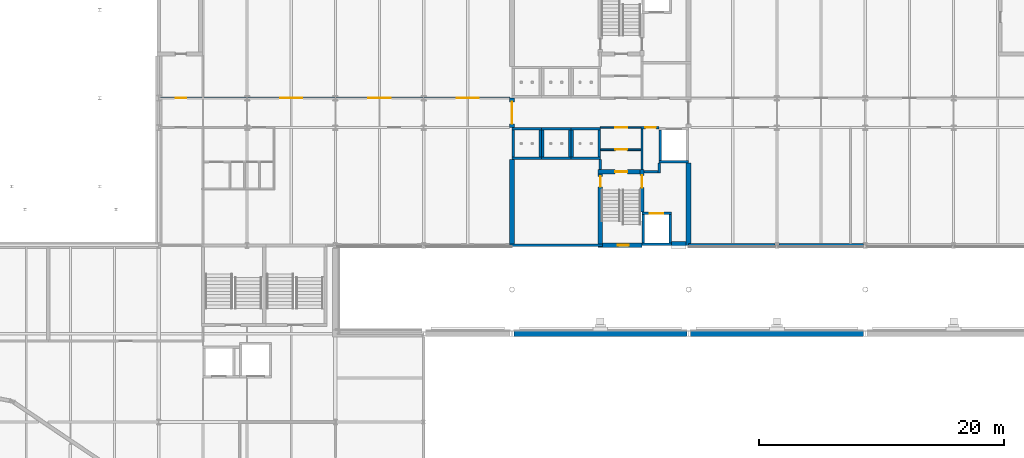
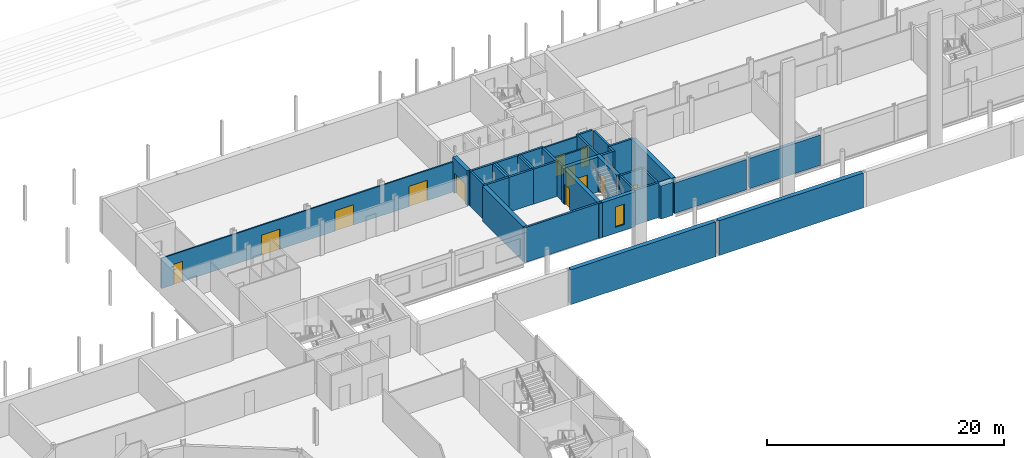
# One storey, part 54 of 90: 39 walls, 12 doors, 1 window, 13 openings.
"""IFC4 building model written with IfcOpenShell, lengths in metres."""

from ifc_helpers import new_model, si_unit, direction, frame, frame_2d, origin, place, context, subcontext, project, spatial, rectangle, extrude, material, layer, layer_set, type_object, element, fill, save


model = new_model("IFC4")

# Units and contexts
model_context = context("Model", 3, precision=1e-05, world=origin(), true_north=direction((0.0, 1.0)))
body_context = subcontext(model_context, "Body", "Model", "MODEL_VIEW")
ifc_project = project(units=[si_unit("LENGTHUNIT", "METRE"), si_unit("AREAUNIT", "SQUARE_METRE"), si_unit("VOLUMEUNIT", "CUBIC_METRE"), si_unit("PLANEANGLEUNIT", "RADIAN"), si_unit("MASSUNIT", "GRAM", prefix="KILO")], contexts=[model_context])

# Site, building, storey
site_placement = place(None, origin())
site = spatial("IfcSite", under=ifc_project, at=site_placement, CompositionType="ELEMENT")
building_placement = place(site_placement, origin())
building = spatial("IfcBuilding", under=site, at=building_placement, Name="Kupolbacken Congress Centre", CompositionType="ELEMENT")
storey_placement = place(building_placement, frame((0.0, 0.0, 3.60009765625)))
storey = spatial("IfcBuildingStorey", under=building, at=storey_placement, Name="L01", CompositionType="ELEMENT", Elevation=3.60009765625)

# Walls
ifc_material_1 = material(Name="Limestone", Category="masonry")
ifc_layer_1 = layer(ifc_material_1, 0.06005859375)
ifc_material_2 = material(Name="Air cavity", Category="air")
ifc_layer_2 = layer(ifc_material_2, 0.0400390625, ventilated=True)
ifc_material_3 = material(Name="Mineral wool", Category="insulation")
ifc_layer_3 = layer(ifc_material_3, 0.14990234375)
ifc_material_4 = material(Name="Steel studs", Category="metal")
ifc_layer_4 = layer(ifc_material_4, 0.050048828125)
ifc_layer_set_1 = layer_set([ifc_layer_1, ifc_layer_2, ifc_layer_3, ifc_layer_4], Name="Limestone / Mineral wool / Steel studs")
wall_type_1 = type_object("IfcWallType", Name="EW01 external cavity wall 300", PredefinedType="SOLIDWALL", material=ifc_layer_set_1)
wall_1_placement = place(storey_placement, frame((108.0, 122.39990234375, 0.0), z_axis=(0.0, 0.0, 1.0), x_axis=(1.0, 0.0, 0.0)))
element("IfcWall", 1, at=wall_1_placement, inside=storey, type_object=wall_type_1, Name="E/T/S/L01/010", PredefinedType="SOLIDWALL", context=body_context, shape_type="SweptSolid", body=[
    extrude(rectangle(XDim=7.04638671875, YDim=0.300048828125, at=frame_2d((3.523193359375, 0.0))), origin(), (0.0, 0.0, 1.0), 3.119873046875),
])
wall_2_placement = place(storey_placement, frame((115.353515625, 122.39990234375, 0.0), z_axis=(0.0, 0.0, 1.0), x_axis=(1.0, 0.0, 0.0)))
element("IfcWall", 2, at=wall_2_placement, inside=storey, type_object=wall_type_1, Name="E/T/S/L01/011", PredefinedType="SOLIDWALL", context=body_context, shape_type="SweptSolid", body=[
    extrude(rectangle(XDim=6.89306640625, YDim=0.300048828125, at=frame_2d((3.446533203125, 0.0))), origin(), (0.0, 0.0, 1.0), 3.119873046875),
])
ifc_material_5 = material(Name="Brick", Category="masonry")
ifc_layer_5 = layer(ifc_material_5, 0.10791015625)
ifc_layer_6 = layer(ifc_material_2, 0.0400390625, ventilated=True)
ifc_layer_7 = layer(ifc_material_3, 0.152099609375)
ifc_material_6 = material(Name="Concrete block", Category="masonry")
ifc_layer_8 = layer(ifc_material_6, 0.1201171875)
ifc_layer_set_2 = layer_set([ifc_layer_5, ifc_layer_6, ifc_layer_7, ifc_layer_8], Name="Brick / Mineral wool / Concrete block")
wall_type_2 = type_object("IfcWallType", Name="EW04 external cavity wall 420", PredefinedType="SOLIDWALL", material=ifc_layer_set_2)
for number, where, z_axis, x_axis, name in (
    (3, (122.25, 115.199951171875, 0.0), (0.0, 0.0, 1.0), (-1.0, 0.0, 0.0), "E/H/N/L01/168"),
    (4, (107.85009765625, 115.199951171875, 0.0), (0.0, 0.0, 1.0), (-1.0, 0.0, 0.0), "E/H/N/L01/169"),
):
    element("IfcWall", number, at=place(storey_placement, frame(where, z_axis=z_axis, x_axis=x_axis)), inside=storey, type_object=wall_type_2, Name=name, PredefinedType="SOLIDWALL", context=body_context, shape_type="SweptSolid", body=[
        extrude(rectangle(XDim=14.10009765625, YDim=0.419921875, at=frame_2d((7.050048828125, 0.0))), origin(), (0.0, 0.0, 1.0), 3.599853515625),
    ])
ifc_material_7 = material(Name="Concrete C40/50", Category="concrete")
ifc_layer_9 = layer(ifc_material_7, 0.35009765625)
ifc_layer_10 = layer(ifc_material_3, 0.1220703125)
ifc_layer_11 = layer(ifc_material_2, 0.0400390625, ventilated=True)
ifc_layer_12 = layer(ifc_material_5, 0.10791015625)
ifc_layer_set_3 = layer_set([ifc_layer_9, ifc_layer_10, ifc_layer_11, ifc_layer_12], Name="Concrete C40/50 / Mineral wool / Brick")
wall_type_3 = type_object("IfcWallType", Name="EW10 external cavity wall 620", PredefinedType="SOLIDWALL", material=ifc_layer_set_3)
wall_3_placement = place(storey_placement, frame((106.60009765625, 122.39990234375, 0.0), z_axis=(0.0, 0.0, 1.0), x_axis=(1.0, 0.0, 0.0)))
element("IfcWall", 5, at=wall_3_placement, inside=storey, type_object=wall_type_3, Name="E/T/S/L01/009", PredefinedType="SOLIDWALL", context=body_context, shape_type="SweptSolid", body=[
    extrude(rectangle(XDim=1.199951171875, YDim=0.6201171875, at=frame_2d((0.60009765625, 0.0))), origin(), (0.0, 0.0, 1.0), 3.419921875),
])

# Wall, openings, doors
ifc_material_8 = material(Name="Gypsum board", Category="drywall")
ifc_layer_13 = layer(ifc_material_8, 0.135009765625)
ifc_layer_set_4 = layer_set([ifc_layer_13], Name="Gypsum board")
wall_type_4 = type_object("IfcWallType", Name="P06 compartment wall 135", PredefinedType="PARTITIONING", material=ifc_layer_set_4)
wall_4_placement = place(storey_placement, frame((64.949951171875, 134.39990234375, 0.0), z_axis=(0.0, 0.0, 1.0), x_axis=(1.0, 0.0, 0.0)))
wall_4 = element("IfcWall", 6, at=wall_4_placement, inside=storey, type_object=wall_type_4, Name="T/wall/L01/x/13440/6480", PredefinedType="PARTITIONING", context=body_context, shape_type="SweptSolid", body=[
    extrude(rectangle(XDim=28.449951171875, YDim=0.135009765625, at=frame_2d((14.22509765625, 0.0))), origin(), (0.0, 0.0, 1.0), 3.119873046875),
])
opening_1_placement = place(wall_4_placement, frame((1.22509765625, 0.0, 0.0)))
opening_1 = element("IfcOpeningElement", 7, at=opening_1_placement, cuts=wall_4, Name="Opening D3", PredefinedType="OPENING", context=body_context, shape_type="SweptSolid", body=[
    extrude(rectangle(XDim=0.85009765625, YDim=2.10009765625, at=frame_2d((0.425048828125, 1.050048828125))), frame((0.0, 0.077392578125, 0.0), z_axis=(0.0, -1.0, 0.0), x_axis=(1.0, 0.0, 0.0)), (0.0, 0.0, 1.0), 0.155029296875),
])
opening_2_placement = place(wall_4_placement, frame((9.75, 0.0, 0.0)))
opening_2 = element("IfcOpeningElement", 8, at=opening_2_placement, cuts=wall_4, Name="Opening D14", PredefinedType="OPENING", context=body_context, shape_type="SweptSolid", body=[
    extrude(rectangle(XDim=1.800048828125, YDim=2.10009765625, at=frame_2d((0.89990234375, 1.050048828125))), frame((0.0, 0.077392578125, 0.0), z_axis=(0.0, -1.0, 0.0), x_axis=(1.0, 0.0, 0.0)), (0.0, 0.0, 1.0), 0.155029296875),
])
opening_3_placement = place(wall_4_placement, frame((16.949951171875, 0.0, 0.0)))
opening_3 = element("IfcOpeningElement", 9, at=opening_3_placement, cuts=wall_4, Name="Opening D14", PredefinedType="OPENING", context=body_context, shape_type="SweptSolid", body=[
    extrude(rectangle(XDim=1.800048828125, YDim=2.10009765625, at=frame_2d((0.89990234375, 1.050048828125))), frame((0.0, 0.077392578125, 0.0), z_axis=(0.0, -1.0, 0.0), x_axis=(1.0, 0.0, 0.0)), (0.0, 0.0, 1.0), 0.155029296875),
])
opening_4_placement = place(wall_4_placement, frame((24.14990234375, 0.0, 0.0)))
opening_4 = element("IfcOpeningElement", 10, at=opening_4_placement, cuts=wall_4, Name="Opening D14", PredefinedType="OPENING", context=body_context, shape_type="SweptSolid", body=[
    extrude(rectangle(XDim=1.800048828125, YDim=2.10009765625, at=frame_2d((0.89990234375, 1.050048828125))), frame((0.0, 0.077392578125, 0.0), z_axis=(0.0, -1.0, 0.0), x_axis=(1.0, 0.0, 0.0)), (0.0, 0.0, 1.0), 0.155029296875),
])
ifc_material_9 = material(Name="Steel fire door leaf", Category="steel")
door_type_1 = type_object("IfcDoorType", Name="D14 fire door 1800x2100", OperationType="DOUBLE_DOOR_SINGLE_SWING", PredefinedType="DOOR", material=ifc_material_9)
door_1_placement = place(opening_2_placement, origin())
door_1 = element("IfcDoor", 11, at=door_1_placement, inside=storey, type_object=door_type_1, Name="T/wall/L01/x/13440/6480/D-CANT-S1", OperationType="DOUBLE_DOOR_SINGLE_SWING", OverallHeight=2.10009765625, OverallWidth=1.800048828125, PredefinedType="DOOR", context=body_context, shape_type="SweptSolid", body=[
    extrude(rectangle(XDim=1.800048828125, YDim=2.10009765625, at=frame_2d((0.89990234375, 1.050048828125))), frame((0.0, 0.02490234375, 0.0), z_axis=(0.0, -1.0, 0.0), x_axis=(1.0, 0.0, 0.0)), (0.0, 0.0, 1.0), 0.050048828125),
])
fill(opening_2, door_1)
door_2_placement = place(opening_3_placement, origin())
door_2 = element("IfcDoor", 12, at=door_2_placement, inside=storey, type_object=door_type_1, Name="T/wall/L01/x/13440/6480/D-CANT-S2", OperationType="DOUBLE_DOOR_SINGLE_SWING", OverallHeight=2.10009765625, OverallWidth=1.800048828125, PredefinedType="DOOR", context=body_context, shape_type="SweptSolid", body=[
    extrude(rectangle(XDim=1.800048828125, YDim=2.10009765625, at=frame_2d((0.89990234375, 1.050048828125))), frame((0.0, 0.02490234375, 0.0), z_axis=(0.0, -1.0, 0.0), x_axis=(1.0, 0.0, 0.0)), (0.0, 0.0, 1.0), 0.050048828125),
])
fill(opening_3, door_2)
door_3_placement = place(opening_4_placement, origin())
door_3 = element("IfcDoor", 13, at=door_3_placement, inside=storey, type_object=door_type_1, Name="T/wall/L01/x/13440/6480/D-CANT-S3", OperationType="DOUBLE_DOOR_SINGLE_SWING", OverallHeight=2.10009765625, OverallWidth=1.800048828125, PredefinedType="DOOR", context=body_context, shape_type="SweptSolid", body=[
    extrude(rectangle(XDim=1.800048828125, YDim=2.10009765625, at=frame_2d((0.89990234375, 1.050048828125))), frame((0.0, 0.02490234375, 0.0), z_axis=(0.0, -1.0, 0.0), x_axis=(1.0, 0.0, 0.0)), (0.0, 0.0, 1.0), 0.050048828125),
])
fill(opening_4, door_3)
ifc_material_10 = material(Name="Steel fire door leaf", Category="steel")
door_type_2 = type_object("IfcDoorType", Name="D3 fire door 850x2100", OperationType="SINGLE_SWING_LEFT", PredefinedType="DOOR", material=ifc_material_10)
door_4_placement = place(opening_1_placement, origin())
door_4 = element("IfcDoor", 14, at=door_4_placement, inside=storey, type_object=door_type_2, Name="T/wall/L01/x/13440/6480/D-ST2-D", OperationType="SINGLE_SWING_RIGHT", OverallHeight=2.10009765625, OverallWidth=0.85009765625, PredefinedType="DOOR", context=body_context, shape_type="SweptSolid", body=[
    extrude(rectangle(XDim=0.85009765625, YDim=2.10009765625, at=frame_2d((0.425048828125, 1.050048828125))), frame((0.0, 0.02490234375, 0.0), z_axis=(0.0, -1.0, 0.0), x_axis=(1.0, 0.0, 0.0)), (0.0, 0.0, 1.0), 0.050048828125),
])
fill(opening_1, door_4)

# Wall, opening, door
ifc_material_11 = material(Name="Aerated concrete block", Category="masonry")
ifc_layer_14 = layer(ifc_material_11, 0.139892578125)
ifc_layer_set_5 = layer_set([ifc_layer_14], Name="Aerated concrete block")
wall_type_5 = type_object("IfcWallType", Name="P14 compartment wall 140", PredefinedType="PARTITIONING", material=ifc_layer_set_5)
wall_5_placement = place(storey_placement, frame((100.800048828125, 130.199951171875, 0.0), z_axis=(0.0, 0.0, 1.0), x_axis=(1.0, 0.0, 0.0)))
wall_5 = element("IfcWall", 15, at=wall_5_placement, inside=storey, type_object=wall_type_5, Name="T/wall/L01/x/13020/10080", PredefinedType="PARTITIONING", context=body_context, shape_type="SweptSolid", body=[
    extrude(rectangle(XDim=3.300048828125, YDim=0.139892578125, at=frame_2d((1.64990234375, 0.0))), origin(), (0.0, 0.0, 1.0), 3.419921875),
])
opening_5_placement = place(wall_5_placement, frame((1.199951171875, 0.0, 0.0)))
opening_5 = element("IfcOpeningElement", 16, at=opening_5_placement, cuts=wall_5, Name="Opening D5", PredefinedType="OPENING", context=body_context, shape_type="SweptSolid", body=[
    extrude(rectangle(XDim=1.0, YDim=2.10009765625, at=frame_2d((0.5, 1.050048828125))), frame((0.0, 0.079833984375, 0.0), z_axis=(0.0, -1.0, 0.0), x_axis=(1.0, 0.0, 0.0)), (0.0, 0.0, 1.0), 0.159912109375),
])
ifc_material_12 = material(Name="Steel fire door leaf", Category="steel")
door_type_3 = type_object("IfcDoorType", Name="D5 stair door 1000x2100", OperationType="SINGLE_SWING_LEFT", PredefinedType="DOOR", material=ifc_material_12)
door_5_placement = place(opening_5_placement, frame((1.0, 0.0, 0.0), z_axis=(0.0, 0.0, 1.0), x_axis=(-1.0, 0.0, 0.0)))
door_5 = element("IfcDoor", 17, at=door_5_placement, inside=storey, type_object=door_type_3, Name="T/wall/L01/x/13020/10080/D-TS1-LK2", OperationType="SINGLE_SWING_RIGHT", OverallHeight=2.10009765625, OverallWidth=1.0, PredefinedType="DOOR", context=body_context, shape_type="SweptSolid", body=[
    extrude(rectangle(XDim=1.0, YDim=2.10009765625, at=frame_2d((0.5, 1.050048828125))), frame((0.0, 0.02490234375, 0.0), z_axis=(0.0, -1.0, 0.0), x_axis=(1.0, 0.0, 0.0)), (0.0, 0.0, 1.0), 0.050048828125),
])
fill(opening_5, door_5)

wall_6_placement = place(storey_placement, frame((100.800048828125, 132.0, 0.0), z_axis=(0.0, 0.0, 1.0), x_axis=(1.0, 0.0, 0.0)))
wall_6 = element("IfcWall", 18, at=wall_6_placement, inside=storey, type_object=wall_type_5, Name="T/wall/L01/x/13200/10080", PredefinedType="PARTITIONING", context=body_context, shape_type="SweptSolid", body=[
    extrude(rectangle(XDim=3.300048828125, YDim=0.139892578125, at=frame_2d((1.64990234375, 0.0))), origin(), (0.0, 0.0, 1.0), 3.419921875),
])
opening_6_placement = place(wall_6_placement, frame((1.199951171875, 0.0, 0.0)))
opening_6 = element("IfcOpeningElement", 19, at=opening_6_placement, cuts=wall_6, Name="Opening D5", PredefinedType="OPENING", context=body_context, shape_type="SweptSolid", body=[
    extrude(rectangle(XDim=1.0, YDim=2.10009765625, at=frame_2d((0.5, 1.050048828125))), frame((0.0, 0.079833984375, 0.0), z_axis=(0.0, -1.0, 0.0), x_axis=(1.0, 0.0, 0.0)), (0.0, 0.0, 1.0), 0.159912109375),
])
door_6_placement = place(opening_6_placement, origin())
door_6 = element("IfcDoor", 20, at=door_6_placement, inside=storey, type_object=door_type_3, Name="T/wall/L01/x/13200/10080/D-TS1-LK3", OperationType="SINGLE_SWING_LEFT", OverallHeight=2.10009765625, OverallWidth=1.0, PredefinedType="DOOR", context=body_context, shape_type="SweptSolid", body=[
    extrude(rectangle(XDim=1.0, YDim=2.10009765625, at=frame_2d((0.5, 1.050048828125))), frame((0.0, 0.02490234375, 0.0), z_axis=(0.0, -1.0, 0.0), x_axis=(1.0, 0.0, 0.0)), (0.0, 0.0, 1.0), 0.050048828125),
])
fill(opening_6, door_6)

# Walls
ifc_material_13 = material(Name="Concrete C40/50", Category="concrete")
ifc_layer_15 = layer(ifc_material_13, 0.199951171875)
ifc_layer_set_6 = layer_set([ifc_layer_15], Name="Concrete C40/50")
wall_type_6 = type_object("IfcWallType", Name="WC1 RC shaft wall 200", PredefinedType="SHEAR", material=ifc_layer_set_6)
wall_7_placement = place(storey_placement, frame((93.39990234375, 122.39990234375, 0.0), z_axis=(0.0, 0.0, 1.0), x_axis=(1.0, 0.0, 0.0)))
element("IfcWall", 21, at=wall_7_placement, inside=storey, type_object=wall_type_6, Name="Shaft wall L01-078", PredefinedType="SHEAR", context=body_context, shape_type="SweptSolid", body=[
    extrude(rectangle(XDim=7.5751953125, YDim=0.199951171875, at=frame_2d((3.78759765625, 0.0))), origin(), (0.0, 0.0, 1.0), 3.599853515625),
])
wall_8_placement = place(storey_placement, frame((100.800048828125, 128.574951171875, 0.0), z_axis=(0.0, 0.0, 1.0), x_axis=(0.0, 1.0, 0.0)))
element("IfcWall", 22, at=wall_8_placement, inside=storey, type_object=wall_type_6, Name="Shaft wall L01-091", PredefinedType="SHEAR", context=body_context, shape_type="SweptSolid", body=[
    extrude(rectangle(XDim=0.824951171875, YDim=0.199951171875, at=frame_2d((0.41259765625, 0.0))), origin(), (0.0, 0.0, 1.0), 3.599853515625),
])
wall_9_placement = place(storey_placement, frame((104.375, 128.39990234375, 0.0), z_axis=(0.0, 0.0, 1.0), x_axis=(1.0, 0.0, 0.0)))
element("IfcWall", 23, at=wall_9_placement, inside=storey, type_object=wall_type_6, Name="Shaft wall L01-093", PredefinedType="SHEAR", context=body_context, shape_type="SweptSolid", body=[
    extrude(rectangle(XDim=1.324951171875, YDim=0.199951171875, at=frame_2d((0.66259765625, 0.0))), origin(), (0.0, 0.0, 1.0), 3.599853515625),
])
wall_10_placement = place(storey_placement, frame((105.60009765625, 128.300048828125, 0.0), z_axis=(0.0, 0.0, 1.0), x_axis=(0.0, 1.0, 0.0)))
element("IfcWall", 24, at=wall_10_placement, inside=storey, type_object=wall_type_6, Name="Shaft wall L01-094", PredefinedType="SHEAR", context=body_context, shape_type="SweptSolid", body=[
    extrude(rectangle(XDim=0.800048828125, YDim=0.199951171875, at=frame_2d((0.39990234375, 0.0))), origin(), (0.0, 0.0, 1.0), 3.599853515625),
])
wall_11_placement = place(storey_placement, frame((104.199951171875, 132.10009765625, 0.0), z_axis=(0.0, 0.0, 1.0), x_axis=(0.0, -1.0, 0.0)))
element("IfcWall", 25, at=wall_11_placement, inside=storey, type_object=wall_type_6, Name="Shaft wall L01-109", PredefinedType="SHEAR", context=body_context, shape_type="SweptSolid", body=[
    extrude(rectangle(XDim=3.525146484375, YDim=0.199951171875, at=frame_2d((1.7626953125, 0.0))), origin(), (0.0, 0.0, 1.0), 3.599853515625),
])

# Wall, opening, door
wall_12_placement = place(storey_placement, frame((105.60009765625, 132.0, 0.0), z_axis=(0.0, 0.0, 1.0), x_axis=(-1.0, 0.0, 0.0)))
wall_12 = element("IfcWall", 26, at=wall_12_placement, inside=storey, type_object=wall_type_6, Name="Shaft wall L01-110", PredefinedType="SHEAR", context=body_context, shape_type="SweptSolid", body=[
    extrude(rectangle(XDim=1.5, YDim=0.199951171875, at=frame_2d((0.75, 0.0))), origin(), (0.0, 0.0, 1.0), 3.599853515625),
])
opening_7_placement = place(wall_12_placement, frame((0.27490234375, 0.0, 0.0)))
opening_7 = element("IfcOpeningElement", 27, at=opening_7_placement, cuts=wall_12, Name="Opening D3", PredefinedType="OPENING", context=body_context, shape_type="SweptSolid", body=[
    extrude(rectangle(XDim=0.85009765625, YDim=2.10009765625, at=frame_2d((0.425048828125, 1.050048828125))), frame((0.0, 0.10986328125, 0.0), z_axis=(0.0, -1.0, 0.0), x_axis=(1.0, 0.0, 0.0)), (0.0, 0.0, 1.0), 0.219970703125),
])
door_7_placement = place(opening_7_placement, origin())
door_7 = element("IfcDoor", 28, at=door_7_placement, inside=storey, type_object=door_type_2, Name="S/core/L01/110/D-TR3-A", OperationType="SINGLE_SWING_LEFT", OverallHeight=2.10009765625, OverallWidth=0.85009765625, PredefinedType="DOOR", context=body_context, shape_type="SweptSolid", body=[
    extrude(rectangle(XDim=0.85009765625, YDim=2.10009765625, at=frame_2d((0.425048828125, 1.050048828125))), frame((0.0, 0.02490234375, 0.0), z_axis=(0.0, -1.0, 0.0), x_axis=(1.0, 0.0, 0.0)), (0.0, 0.0, 1.0), 0.050048828125),
])
fill(opening_7, door_7)

# Walls
for number, where, z_axis, x_axis, name in (
    (29, (93.60009765625, 129.5, 0.0), (0.0, 0.0, 1.0), (1.0, 0.0, 0.0), "Shaft wall LP9"),
    (30, (93.60009765625, 131.89990234375, 0.0), (0.0, 0.0, 1.0), (1.0, 0.0, 0.0), "Shaft wall LP9"),
):
    element("IfcWall", number, at=place(storey_placement, frame(where, z_axis=z_axis, x_axis=x_axis)), inside=storey, type_object=wall_type_6, Name=name, PredefinedType="SHEAR", context=body_context, shape_type="SweptSolid", body=[
        extrude(rectangle(XDim=2.39990234375, YDim=0.199951171875, at=frame_2d((1.199951171875, 0.0))), origin(), (0.0, 0.0, 1.0), 3.599853515625),
    ])
for number, where, z_axis, x_axis, name in (
    (31, (93.699951171875, 129.60009765625, 0.0), (0.0, 0.0, 1.0), (0.0, 1.0, 0.0), "Shaft wall LP9"),
    (32, (95.89990234375, 129.60009765625, 0.0), (0.0, 0.0, 1.0), (0.0, 1.0, 0.0), "Shaft wall LP9"),
):
    element("IfcWall", number, at=place(storey_placement, frame(where, z_axis=z_axis, x_axis=x_axis)), inside=storey, type_object=wall_type_6, Name=name, PredefinedType="SHEAR", context=body_context, shape_type="SweptSolid", body=[
        extrude(rectangle(XDim=2.199951171875, YDim=0.199951171875, at=frame_2d((1.10009765625, 0.0))), origin(), (0.0, 0.0, 1.0), 3.599853515625),
    ])
for number, where, z_axis, x_axis, name in (
    (33, (96.0, 129.5, 0.0), (0.0, 0.0, 1.0), (1.0, 0.0, 0.0), "Shaft wall LP10"),
    (34, (96.0, 131.89990234375, 0.0), (0.0, 0.0, 1.0), (1.0, 0.0, 0.0), "Shaft wall LP10"),
):
    element("IfcWall", number, at=place(storey_placement, frame(where, z_axis=z_axis, x_axis=x_axis)), inside=storey, type_object=wall_type_6, Name=name, PredefinedType="SHEAR", context=body_context, shape_type="SweptSolid", body=[
        extrude(rectangle(XDim=2.39990234375, YDim=0.199951171875, at=frame_2d((1.199951171875, 0.0))), origin(), (0.0, 0.0, 1.0), 3.599853515625),
    ])
for number, where, z_axis, x_axis, name in (
    (35, (96.10009765625, 129.60009765625, 0.0), (0.0, 0.0, 1.0), (0.0, 1.0, 0.0), "Shaft wall LP10"),
    (36, (98.300048828125, 129.60009765625, 0.0), (0.0, 0.0, 1.0), (0.0, 1.0, 0.0), "Shaft wall LP10"),
):
    element("IfcWall", number, at=place(storey_placement, frame(where, z_axis=z_axis, x_axis=x_axis)), inside=storey, type_object=wall_type_6, Name=name, PredefinedType="SHEAR", context=body_context, shape_type="SweptSolid", body=[
        extrude(rectangle(XDim=2.199951171875, YDim=0.199951171875, at=frame_2d((1.10009765625, 0.0))), origin(), (0.0, 0.0, 1.0), 3.599853515625),
    ])
for number, where, z_axis, x_axis, name in (
    (37, (98.39990234375, 129.5, 0.0), (0.0, 0.0, 1.0), (1.0, 0.0, 0.0), "Shaft wall LP11"),
    (38, (98.39990234375, 131.89990234375, 0.0), (0.0, 0.0, 1.0), (1.0, 0.0, 0.0), "Shaft wall LP11"),
):
    element("IfcWall", number, at=place(storey_placement, frame(where, z_axis=z_axis, x_axis=x_axis)), inside=storey, type_object=wall_type_6, Name=name, PredefinedType="SHEAR", context=body_context, shape_type="SweptSolid", body=[
        extrude(rectangle(XDim=2.400146484375, YDim=0.199951171875, at=frame_2d((1.2001953125, 0.0))), origin(), (0.0, 0.0, 1.0), 3.599853515625),
    ])
for number, where, z_axis, x_axis, name in (
    (39, (98.5, 129.60009765625, 0.0), (0.0, 0.0, 1.0), (0.0, 1.0, 0.0), "Shaft wall LP11"),
    (40, (100.699951171875, 129.60009765625, 0.0), (0.0, 0.0, 1.0), (0.0, 1.0, 0.0), "Shaft wall LP11"),
):
    element("IfcWall", number, at=place(storey_placement, frame(where, z_axis=z_axis, x_axis=x_axis)), inside=storey, type_object=wall_type_6, Name=name, PredefinedType="SHEAR", context=body_context, shape_type="SweptSolid", body=[
        extrude(rectangle(XDim=2.199951171875, YDim=0.199951171875, at=frame_2d((1.10009765625, 0.0))), origin(), (0.0, 0.0, 1.0), 3.599853515625),
    ])
wall_13_placement = place(storey_placement, frame((104.199951171875, 122.5, 0.0), z_axis=(0.0, 0.0, 1.0), x_axis=(1.0, 0.0, 0.0)))
element("IfcWall", 41, at=wall_13_placement, inside=storey, type_object=wall_type_6, Name="Shaft wall LF1", PredefinedType="SHEAR", context=body_context, shape_type="SweptSolid", body=[
    extrude(rectangle(XDim=2.400146484375, YDim=0.199951171875, at=frame_2d((1.2001953125, 0.0))), origin(), (0.0, 0.0, 1.0), 3.599853515625),
])

# Wall, opening, door
wall_14_placement = place(storey_placement, frame((104.199951171875, 125.0, 0.0), z_axis=(0.0, 0.0, 1.0), x_axis=(1.0, 0.0, 0.0)))
wall_14 = element("IfcWall", 42, at=wall_14_placement, inside=storey, type_object=wall_type_6, Name="Shaft wall LF1", PredefinedType="SHEAR", context=body_context, shape_type="SweptSolid", body=[
    extrude(rectangle(XDim=2.400146484375, YDim=0.199951171875, at=frame_2d((1.2001953125, 0.0))), origin(), (0.0, 0.0, 1.0), 3.599853515625),
])
opening_8_placement = place(wall_14_placement, frame((0.64990234375, 0.0, 0.0)))
opening_8 = element("IfcOpeningElement", 43, at=opening_8_placement, cuts=wall_14, Name="Opening LD2", PredefinedType="OPENING", context=body_context, shape_type="SweptSolid", body=[
    extrude(rectangle(XDim=1.10009765625, YDim=2.10009765625, at=frame_2d((0.550048828125, 1.050048828125))), frame((0.0, 0.10986328125, 0.0), z_axis=(0.0, -1.0, 0.0), x_axis=(1.0, 0.0, 0.0)), (0.0, 0.0, 1.0), 0.219970703125),
])
ifc_material_14 = material(Name="Stainless steel door leaf", Category="steel")
door_type_4 = type_object("IfcDoorType", Name="LD2 lift landing door 1100x2100", OperationType="SLIDING_TO_LEFT", PredefinedType="DOOR", material=ifc_material_14)
door_8_placement = place(opening_8_placement, origin())
door_8 = element("IfcDoor", 44, at=door_8_placement, inside=storey, type_object=door_type_4, Name="Lift landing door LF1", OperationType="SLIDING_TO_LEFT", OverallHeight=2.10009765625, OverallWidth=1.10009765625, PredefinedType="DOOR", context=body_context, shape_type="SweptSolid", body=[
    extrude(rectangle(XDim=1.10009765625, YDim=2.10009765625, at=frame_2d((0.550048828125, 1.050048828125))), frame((0.0, 0.02490234375, 0.0), z_axis=(0.0, -1.0, 0.0), x_axis=(1.0, 0.0, 0.0)), (0.0, 0.0, 1.0), 0.050048828125),
])
fill(opening_8, door_8)

# Walls
for number, where, z_axis, x_axis, name in (
    (45, (104.300048828125, 122.60009765625, 0.0), (0.0, 0.0, 1.0), (0.0, 1.0, 0.0), "Shaft wall LF1"),
    (46, (106.5, 122.60009765625, 0.0), (0.0, 0.0, 1.0), (0.0, 1.0, 0.0), "Shaft wall LF1"),
):
    element("IfcWall", number, at=place(storey_placement, frame(where, z_axis=z_axis, x_axis=x_axis)), inside=storey, type_object=wall_type_6, Name=name, PredefinedType="SHEAR", context=body_context, shape_type="SweptSolid", body=[
        extrude(rectangle(XDim=2.2998046875, YDim=0.199951171875, at=frame_2d((1.14990234375, 0.0))), origin(), (0.0, 0.0, 1.0), 3.599853515625),
    ])
wall_15_placement = place(storey_placement, frame((105.60009765625, 129.199951171875, 0.0), z_axis=(0.0, 0.0, 1.0), x_axis=(1.0, 0.0, 0.0)))
element("IfcWall", 47, at=wall_15_placement, inside=storey, type_object=wall_type_6, Name="Shaft wall LV1", PredefinedType="SHEAR", context=body_context, shape_type="SweptSolid", body=[
    extrude(rectangle(XDim=2.39990234375, YDim=0.199951171875, at=frame_2d((1.199951171875, 0.0))), origin(), (0.0, 0.0, 1.0), 3.599853515625),
])
wall_16_placement = place(storey_placement, frame((105.699951171875, 129.300048828125, 0.0), z_axis=(0.0, 0.0, 1.0), x_axis=(0.0, 1.0, 0.0)))
element("IfcWall", 48, at=wall_16_placement, inside=storey, type_object=wall_type_6, Name="Shaft wall LV1", PredefinedType="SHEAR", context=body_context, shape_type="SweptSolid", body=[
    extrude(rectangle(XDim=2.5, YDim=0.199951171875, at=frame_2d((1.25, 0.0))), origin(), (0.0, 0.0, 1.0), 3.599853515625),
])

# Wall, opening, window
ifc_material_15 = material(Name="Concrete C40/50", Category="concrete")
ifc_layer_16 = layer(ifc_material_15, 0.35009765625)
ifc_layer_set_7 = layer_set([ifc_layer_16], Name="Concrete C40/50")
wall_type_7 = type_object("IfcWallType", Name="WC4 RC core wall 350", PredefinedType="SHEAR", material=ifc_layer_set_7)
wall_17_placement = place(storey_placement, frame((100.97509765625, 122.39990234375, 0.0), z_axis=(0.0, 0.0, 1.0), x_axis=(1.0, 0.0, 0.0)))
wall_17 = element("IfcWall", 49, at=wall_17_placement, inside=storey, type_object=wall_type_7, Name="Core wall L01-079", PredefinedType="SHEAR", context=body_context, shape_type="SweptSolid", body=[
    extrude(rectangle(XDim=3.224853515625, YDim=0.35009765625, at=frame_2d((1.6123046875, 0.0))), origin(), (0.0, 0.0, 1.0), 3.599853515625),
])
opening_9_placement = place(wall_17_placement, frame((1.25, 0.0, 0.60009765625)))
opening_9 = element("IfcOpeningElement", 50, at=opening_9_placement, cuts=wall_17, Name="Opening W28", PredefinedType="OPENING", context=body_context, shape_type="SweptSolid", body=[
    extrude(rectangle(XDim=0.89990234375, YDim=2.10009765625, at=frame_2d((0.449951171875, 1.050048828125))), frame((0.0, 0.18505859375, 0.0), z_axis=(0.0, -1.0, 0.0), x_axis=(1.0, 0.0, 0.0)), (0.0, 0.0, 1.0), 0.3701171875),
])
ifc_material_16 = material(Name="Aluminium frame with double or triple glazing", Category="aluminium")
window_type = type_object("IfcWindowType", Name="W28 window 900x2100", PartitioningType="SINGLE_PANEL", PredefinedType="WINDOW", material=ifc_material_16)
window_placement = place(opening_9_placement, origin())
window = element("IfcWindow", 51, at=window_placement, inside=storey, type_object=window_type, Name="S/core/L01/079/WW28", OverallHeight=2.10009765625, OverallWidth=0.89990234375, PartitioningType="SINGLE_PANEL", PredefinedType="WINDOW", context=body_context, shape_type="SweptSolid", body=[
    extrude(rectangle(XDim=0.89990234375, YDim=2.10009765625, at=frame_2d((0.449951171875, 1.050048828125))), frame((0.0, 0.030029296875, 0.0), z_axis=(0.0, -1.0, 0.0), x_axis=(1.0, 0.0, 0.0)), (0.0, 0.0, 1.0), 0.06005859375),
])
fill(opening_9, window)

# Wall, opening, door
wall_18_placement = place(storey_placement, frame((104.199951171875, 125.10009765625, 0.0), z_axis=(0.0, 0.0, 1.0), x_axis=(0.0, 1.0, 0.0)))
wall_18 = element("IfcWall", 52, at=wall_18_placement, inside=storey, type_object=wall_type_7, Name="Core wall L01-081", PredefinedType="SHEAR", context=body_context, shape_type="SweptSolid", body=[
    extrude(rectangle(XDim=3.474853515625, YDim=0.35009765625, at=frame_2d((1.7373046875, 0.0))), origin(), (0.0, 0.0, 1.0), 3.599853515625),
])
opening_10_placement = place(wall_18_placement, frame((2.0, 0.0, 0.0)))
opening_10 = element("IfcOpeningElement", 53, at=opening_10_placement, cuts=wall_18, Name="Opening D5", PredefinedType="OPENING", context=body_context, shape_type="SweptSolid", body=[
    extrude(rectangle(XDim=1.0, YDim=2.10009765625, at=frame_2d((0.5, 1.050048828125))), frame((0.0, 0.18505859375, 0.0), z_axis=(0.0, -1.0, 0.0), x_axis=(1.0, 0.0, 0.0)), (0.0, 0.0, 1.0), 0.3701171875),
])
door_9_placement = place(opening_10_placement, origin())
door_9 = element("IfcDoor", 54, at=door_9_placement, inside=storey, type_object=door_type_3, Name="S/core/L01/081/D-TFL1-A", OperationType="SINGLE_SWING_LEFT", OverallHeight=2.10009765625, OverallWidth=1.0, PredefinedType="DOOR", context=body_context, shape_type="SweptSolid", body=[
    extrude(rectangle(XDim=1.0, YDim=2.10009765625, at=frame_2d((0.5, 1.050048828125))), frame((0.0, 0.02490234375, 0.0), z_axis=(0.0, -1.0, 0.0), x_axis=(1.0, 0.0, 0.0)), (0.0, 0.0, 1.0), 0.050048828125),
])
fill(opening_10, door_9)

wall_19_placement = place(storey_placement, frame((100.800048828125, 128.574951171875, 0.0), z_axis=(0.0, 0.0, 1.0), x_axis=(0.0, -1.0, 0.0)))
wall_19 = element("IfcWall", 55, at=wall_19_placement, inside=storey, type_object=wall_type_7, Name="Core wall L01-090", PredefinedType="SHEAR", context=body_context, shape_type="SweptSolid", body=[
    extrude(rectangle(XDim=6.349853515625, YDim=0.35009765625, at=frame_2d((3.1748046875, 0.0))), origin(), (0.0, 0.0, 1.0), 3.599853515625),
])
opening_11_placement = place(wall_19_placement, frame((0.550048828125, 0.0, 0.0)))
opening_11 = element("IfcOpeningElement", 56, at=opening_11_placement, cuts=wall_19, Name="Opening D3", PredefinedType="OPENING", context=body_context, shape_type="SweptSolid", body=[
    extrude(rectangle(XDim=0.85009765625, YDim=2.10009765625, at=frame_2d((0.425048828125, 1.050048828125))), frame((0.0, 0.18505859375, 0.0), z_axis=(0.0, -1.0, 0.0), x_axis=(1.0, 0.0, 0.0)), (0.0, 0.0, 1.0), 0.3701171875),
])
door_10_placement = place(opening_11_placement, origin())
door_10 = element("IfcDoor", 57, at=door_10_placement, inside=storey, type_object=door_type_2, Name="S/core/L01/090/D-TR1-A", OperationType="SINGLE_SWING_RIGHT", OverallHeight=2.10009765625, OverallWidth=0.85009765625, PredefinedType="DOOR", context=body_context, shape_type="SweptSolid", body=[
    extrude(rectangle(XDim=0.85009765625, YDim=2.10009765625, at=frame_2d((0.425048828125, 1.050048828125))), frame((0.0, 0.02490234375, 0.0), z_axis=(0.0, -1.0, 0.0), x_axis=(1.0, 0.0, 0.0)), (0.0, 0.0, 1.0), 0.050048828125),
])
fill(opening_11, door_10)

wall_20_placement = place(storey_placement, frame((104.375, 128.39990234375, 0.0), z_axis=(0.0, 0.0, 1.0), x_axis=(-1.0, 0.0, 0.0)))
wall_20 = element("IfcWall", 58, at=wall_20_placement, inside=storey, type_object=wall_type_7, Name="Core wall L01-092", PredefinedType="SHEAR", context=body_context, shape_type="SweptSolid", body=[
    extrude(rectangle(XDim=3.75, YDim=0.35009765625, at=frame_2d((1.875, 0.0))), origin(), (0.0, 0.0, 1.0), 3.599853515625),
])
opening_12_placement = place(wall_20_placement, frame((1.375, 0.0, 0.0)))
opening_12 = element("IfcOpeningElement", 59, at=opening_12_placement, cuts=wall_20, Name="Opening D5", PredefinedType="OPENING", context=body_context, shape_type="SweptSolid", body=[
    extrude(rectangle(XDim=1.0, YDim=2.10009765625, at=frame_2d((0.5, 1.050048828125))), frame((0.0, 0.18505859375, 0.0), z_axis=(0.0, -1.0, 0.0), x_axis=(1.0, 0.0, 0.0)), (0.0, 0.0, 1.0), 0.3701171875),
])
door_11_placement = place(opening_12_placement, origin())
door_11 = element("IfcDoor", 60, at=door_11_placement, inside=storey, type_object=door_type_3, Name="S/core/L01/092/D-TS1-LK1", OperationType="SINGLE_SWING_RIGHT", OverallHeight=2.10009765625, OverallWidth=1.0, PredefinedType="DOOR", context=body_context, shape_type="SweptSolid", body=[
    extrude(rectangle(XDim=1.0, YDim=2.10009765625, at=frame_2d((0.5, 1.050048828125))), frame((0.0, 0.02490234375, 0.0), z_axis=(0.0, -1.0, 0.0), x_axis=(1.0, 0.0, 0.0)), (0.0, 0.0, 1.0), 0.050048828125),
])
fill(opening_12, door_11)

# Walls
ifc_material_17 = material(Name="Concrete C40/50", Category="concrete")
ifc_layer_17 = layer(ifc_material_17, 0.39990234375)
ifc_layer_set_8 = layer_set([ifc_layer_17], Name="Concrete C40/50")
wall_type_8 = type_object("IfcWallType", Name="WC5 RC core wall 400", PredefinedType="SHEAR", material=ifc_layer_set_8)
wall_21_placement = place(storey_placement, frame((108.0, 122.39990234375, 0.0), z_axis=(0.0, 0.0, 1.0), x_axis=(0.0, 1.0, 0.0)))
element("IfcWall", 61, at=wall_21_placement, inside=storey, type_object=wall_type_8, Name="Core wall L01-080", PredefinedType="SHEAR", context=body_context, shape_type="SweptSolid", body=[
    extrude(rectangle(XDim=6.7001953125, YDim=0.39990234375, at=frame_2d((3.35009765625, 0.0))), origin(), (0.0, 0.0, 1.0), 3.599853515625),
])
wall_22_placement = place(storey_placement, frame((93.60009765625, 129.39990234375, 0.0), z_axis=(0.0, 0.0, 1.0), x_axis=(0.0, -1.0, 0.0)))
element("IfcWall", 62, at=wall_22_placement, inside=storey, type_object=wall_type_8, Name="Core wall L01-100", PredefinedType="SHEAR", context=body_context, shape_type="SweptSolid", body=[
    extrude(rectangle(XDim=7.099853515625, YDim=0.39990234375, at=frame_2d((3.5498046875, 0.0))), origin(), (0.0, 0.0, 1.0), 3.599853515625),
])

# Wall, opening, door
wall_23_placement = place(storey_placement, frame((93.60009765625, 132.0, 0.0), z_axis=(0.0, 0.0, 1.0), x_axis=(0.0, 1.0, 0.0)))
wall_23 = element("IfcWall", 63, at=wall_23_placement, inside=storey, type_object=wall_type_8, Name="Core wall L01-108", PredefinedType="SHEAR", context=body_context, shape_type="SweptSolid", body=[
    extrude(rectangle(XDim=2.39990234375, YDim=0.39990234375, at=frame_2d((1.199951171875, 0.0))), origin(), (0.0, 0.0, 1.0), 3.599853515625),
])
opening_13_placement = place(wall_23_placement, frame((0.300048828125, 0.0, 0.0)))
opening_13 = element("IfcOpeningElement", 64, at=opening_13_placement, cuts=wall_23, Name="Opening D14", PredefinedType="OPENING", context=body_context, shape_type="SweptSolid", body=[
    extrude(rectangle(XDim=1.800048828125, YDim=2.10009765625, at=frame_2d((0.89990234375, 1.050048828125))), frame((0.0, 0.2099609375, 0.0), z_axis=(0.0, -1.0, 0.0), x_axis=(1.0, 0.0, 0.0)), (0.0, 0.0, 1.0), 0.419921875),
])
door_12_placement = place(opening_13_placement, origin())
door_12 = element("IfcDoor", 65, at=door_12_placement, inside=storey, type_object=door_type_1, Name="S/core/L01/108/D-CX-W", OperationType="DOUBLE_DOOR_SINGLE_SWING", OverallHeight=2.10009765625, OverallWidth=1.800048828125, PredefinedType="DOOR", context=body_context, shape_type="SweptSolid", body=[
    extrude(rectangle(XDim=1.800048828125, YDim=2.10009765625, at=frame_2d((0.89990234375, 1.050048828125))), frame((0.0, 0.02490234375, 0.0), z_axis=(0.0, -1.0, 0.0), x_axis=(1.0, 0.0, 0.0)), (0.0, 0.0, 1.0), 0.050048828125),
])
fill(opening_13, door_12)

save(model, "model.ifc")
